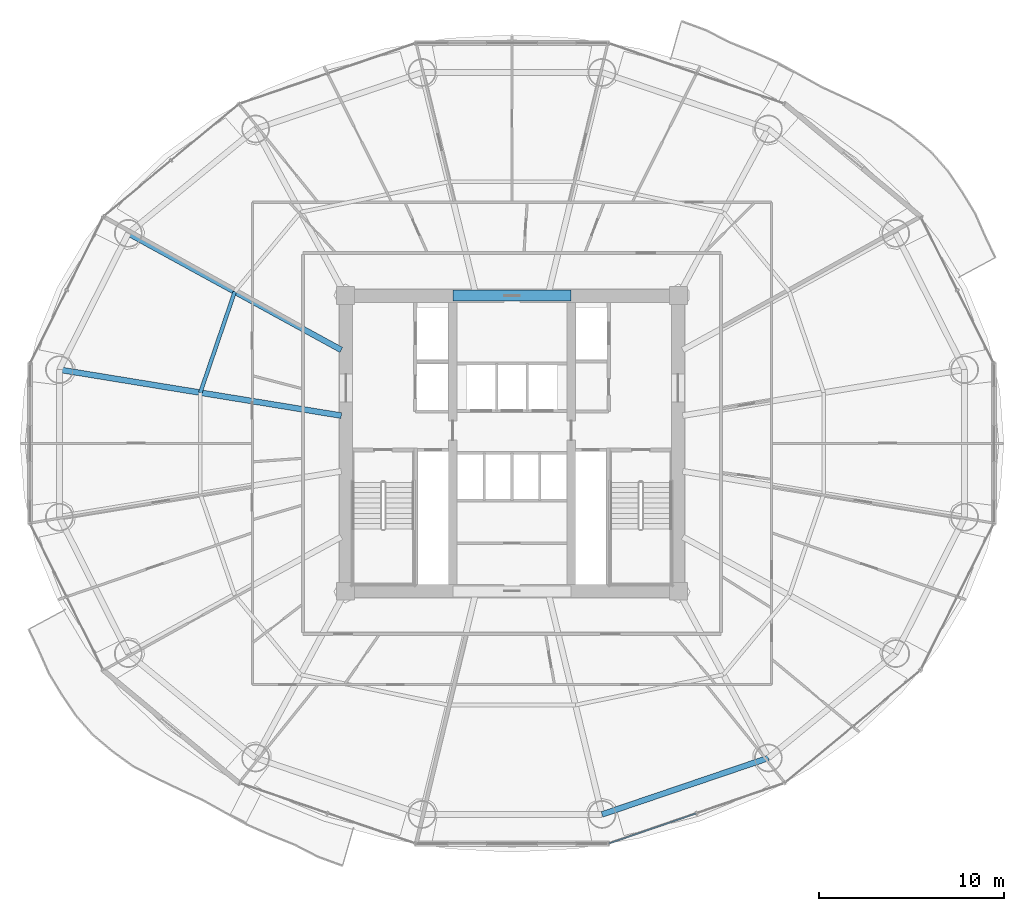
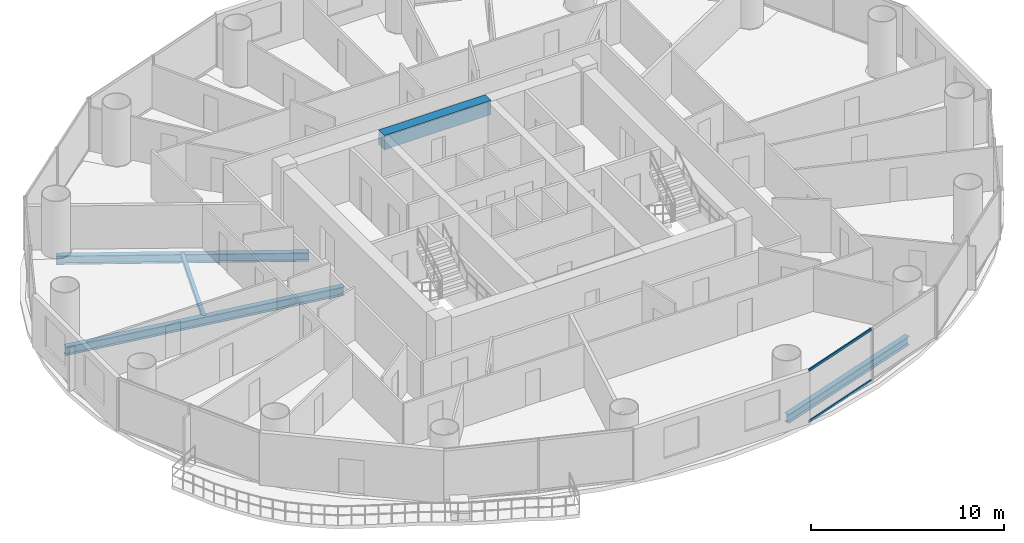
# One storey, part 10 of 29: 5 beams, 2 members, 1 element without a shape of its own.
"""IFC4 building model written with IfcOpenShell, lengths in metres."""

from ifc_helpers import new_model, si_unit, direction, frame, origin, origin_2d, place, context, subcontext, project, spatial, rectangle, hollow_rectangle, i_section, extrude, source, transform, mapped, material, material_profile, profile_set, type_object, element, aggregate, save


model = new_model("IFC4")

# Units and contexts
model_context = context("Model", 3, precision=1e-05, world=origin(), true_north=direction((-0.2419218956, 0.970295726276)))
body_context = subcontext(model_context, "Body", "Model", "MODEL_VIEW")
ifc_project = project(units=[si_unit("LENGTHUNIT", "METRE"), si_unit("AREAUNIT", "SQUARE_METRE"), si_unit("VOLUMEUNIT", "CUBIC_METRE"), si_unit("PLANEANGLEUNIT", "RADIAN"), si_unit("MASSUNIT", "GRAM", prefix="KILO")], contexts=[model_context])

# Site, building, storey
site_placement = place(None, origin())
site = spatial("IfcSite", under=ifc_project, at=site_placement, CompositionType="ELEMENT")
building_placement = place(site_placement, origin())
building = spatial("IfcBuilding", under=site, at=building_placement, Name="Cobrevalo Terracotta Tower", CompositionType="ELEMENT")
storey_placement = place(building_placement, frame((0.0, 0.0, 97.800048828125)))
storey = spatial("IfcBuildingStorey", under=building, at=storey_placement, Name="L25", CompositionType="ELEMENT", Elevation=97.800048828125)

# Beams
ifc_material_1 = material(Name="Concrete C60", Category="concrete")
ifc_material_profile_1 = material_profile(ifc_material_1, rectangle(XDim=0.60009765625, YDim=0.89990234375, at=origin_2d()), Name="RC CB 600x900")
ifc_profile_set_1 = profile_set([ifc_material_profile_1], Name="Concrete C60")
beam_type_1 = type_object("IfcBeamType", Name="Structural Beam RC CB 600x900 (Concrete C60)", PredefinedType="BEAM", material=ifc_profile_set_1)
beam_1_placement = place(storey_placement, frame((34.800048828125, 34.800048828125, 2.875), z_axis=(1.0, 0.0, 0.0), x_axis=(0.0, 1.0, 0.0)))
element("IfcBeam", 1, at=beam_1_placement, inside=storey, type_object=beam_type_1, Name="L25 core coupling beam 2", PredefinedType="BEAM", context=body_context, shape_type="SweptSolid", body=[
    extrude(rectangle(XDim=0.60009765625, YDim=0.89990234375, at=origin_2d()), origin(), (0.0, 0.0, 1.0), 6.39990234375),
])
ifc_material_2 = material(Name="Steel S355", Category="steel")
ifc_material_profile_2 = material_profile(ifc_material_2, i_section(OverallWidth=0.31201171875, OverallDepth=0.54296875, WebThickness=0.0126953125, FlangeThickness=0.020263671875, at=origin_2d()), Name="W 530x150")
ifc_profile_set_2 = profile_set([ifc_material_profile_2], Name="Steel S355")
beam_type_2 = type_object("IfcBeamType", Name="Structural Beam W 530x150 (Steel S355)", PredefinedType="BEAM", material=ifc_profile_set_2)
beam_2_placement = place(storey_placement, frame((17.2548828125, 38.161376953125, -0.546630859375), z_axis=(0.877080599376, -0.480343233738, 0.0), x_axis=(0.480343233738, 0.877080599376, 0.0)))
element("IfcBeam", 2, at=beam_2_placement, inside=storey, type_object=beam_type_2, Name="L25 radial floor girder 07", PredefinedType="BEAM", context=body_context, shape_type="SweptSolid", body=[
    extrude(i_section(OverallWidth=0.31201171875, OverallDepth=0.54296875, WebThickness=0.0126953125, FlangeThickness=0.020263671875, at=origin_2d()), origin(), (0.0, 0.0, 1.0), 13.12890625),
])
beam_3_placement = place(storey_placement, frame((13.529296875, 30.78955078125, -0.546630859375), z_axis=(0.986970567439, -0.160900898101, 0.0), x_axis=(0.160900898101, 0.986970567439, 0.0)))
element("IfcBeam", 3, at=beam_3_placement, inside=storey, type_object=beam_type_2, Name="L25 radial floor girder 08", PredefinedType="BEAM", context=body_context, shape_type="SweptSolid", body=[
    extrude(i_section(OverallWidth=0.31201171875, OverallDepth=0.54296875, WebThickness=0.0126953125, FlangeThickness=0.020263671875, at=origin_2d()), origin(), (0.0, 0.0, 1.0), 15.44189453125),
])
ifc_material_profile_3 = material_profile(ifc_material_2, i_section(OverallWidth=0.2041015625, OverallDepth=0.305908203125, WebThickness=0.008544921875, FlangeThickness=0.0146484375, at=origin_2d()), Name="W 310x67")
ifc_profile_set_3 = profile_set([ifc_material_profile_3], Name="Steel S355")
beam_type_3 = type_object("IfcBeamType", Name="Structural Joist W 310x67 (Steel S355)", PredefinedType="JOIST", material=ifc_profile_set_3)
beam_4_placement = place(storey_placement, frame((23.012451171875, 35.00830078125, -0.427978515625), z_axis=(-0.322833299398, -0.94645584197, 0.0), x_axis=(0.94645584197, -0.322833299398, 0.0)))
element("IfcBeam", 4, at=beam_4_placement, inside=storey, type_object=beam_type_3, Name="L25 circumferential secondary floor joist 07", PredefinedType="JOIST", context=body_context, shape_type="SweptSolid", body=[
    extrude(i_section(OverallWidth=0.2041015625, OverallDepth=0.305908203125, WebThickness=0.008544921875, FlangeThickness=0.0146484375, at=origin_2d()), origin(), (0.0, 0.0, 1.0), 5.77001953125),
])
ifc_material_profile_4 = material_profile(ifc_material_2, i_section(OverallWidth=0.31201171875, OverallDepth=0.54296875, WebThickness=0.0126953125, FlangeThickness=0.020263671875, at=origin_2d()), Name="W 530x150")
ifc_profile_set_4 = profile_set([ifc_material_profile_4], Name="Steel S355")
beam_type_4 = type_object("IfcBeamType", Name="Structural Spandrel W 530x150 (Steel S355)", PredefinedType="SPANDREL", material=ifc_profile_set_4)
beam_5_placement = place(storey_placement, frame((42.867431640625, 6.742919921875, -0.546630859375), z_axis=(0.94691835344, 0.321474154356, 0.0), x_axis=(-0.321474154356, 0.94691835344, 0.0)))
element("IfcBeam", 5, at=beam_5_placement, inside=storey, type_object=beam_type_4, Name="L25 perimeter ring spandrel 13", PredefinedType="SPANDREL", context=body_context, shape_type="SweptSolid", body=[
    extrude(i_section(OverallWidth=0.31201171875, OverallDepth=0.54296875, WebThickness=0.0126953125, FlangeThickness=0.020263671875, at=origin_2d()), origin(), (0.0, 0.0, 1.0), 9.498291015625),
])

# Curtain wall, members
ifc_material_3 = material(Name="Anodized aluminium", Category="aluminium")
curtain_wall_type = type_object("IfcCurtainWallType", Name="Lower-tower unitised acoustic low-E curtain wall CW-U1", PredefinedType="NOTDEFINED", material=ifc_material_3)
curtain_wall_placement = place(storey_placement, origin())
curtain_wall = element("IfcCurtainWall", 6, at=curtain_wall_placement, inside=storey, type_object=curtain_wall_type, Name="L25 curtain wall CW-L25-S13", PredefinedType="NOTDEFINED")
ifc_material_profile_5 = material_profile(ifc_material_3, hollow_rectangle(XDim=0.074951171875, YDim=0.14990234375, WallThickness=0.00439453125, at=origin_2d()), Name="CWT 75x150")
ifc_profile_set_5 = profile_set([ifc_material_profile_5], Name="Anodized aluminium")
member_type = type_object("IfcMemberType", Name="Tower unitised aluminium transom 75x150", PredefinedType="USERDEFINED", material=ifc_profile_set_5)
shared_shape = source(origin(), body_context, "Body", "SweptSolid", [
    extrude(hollow_rectangle(XDim=0.074951171875, YDim=0.14990234375, WallThickness=0.00439453125, at=origin_2d()), origin(), (0.0, 0.0, 1.0), 4.944580078125),
])
member_1_placement = place(storey_placement, frame((43.25927734375, 5.18017578125, 0.050048828125), z_axis=(0.945597859971, 0.32533780478, 0.0), x_axis=(-0.32533780478, 0.945597859971, 0.0)))
member_1 = element("IfcMember", 7, at=member_1_placement, type_object=member_type, Name="CW-L25-S13 transom B01-T1", ObjectType="TRANSOM", PredefinedType="USERDEFINED", context=body_context, shape_type="MappedRepresentation", body=[
    mapped(shared_shape, transform((0.0, 0.0, 0.0), scale=1.0)),
])
member_2_placement = place(storey_placement, frame((43.25927734375, 5.18017578125, 3.27490234375), z_axis=(0.945597859971, 0.32533780478, 0.0), x_axis=(-0.32533780478, 0.945597859971, 0.0)))
member_2 = element("IfcMember", 8, at=member_2_placement, type_object=member_type, Name="CW-L25-S13 transom B01-T2", ObjectType="TRANSOM", PredefinedType="USERDEFINED", context=body_context, shape_type="MappedRepresentation", body=[
    mapped(shared_shape, transform((0.0, 0.0, 0.0), scale=1.0)),
])
aggregate(curtain_wall, [member_1, member_2])

save(model, "model.ifc")
